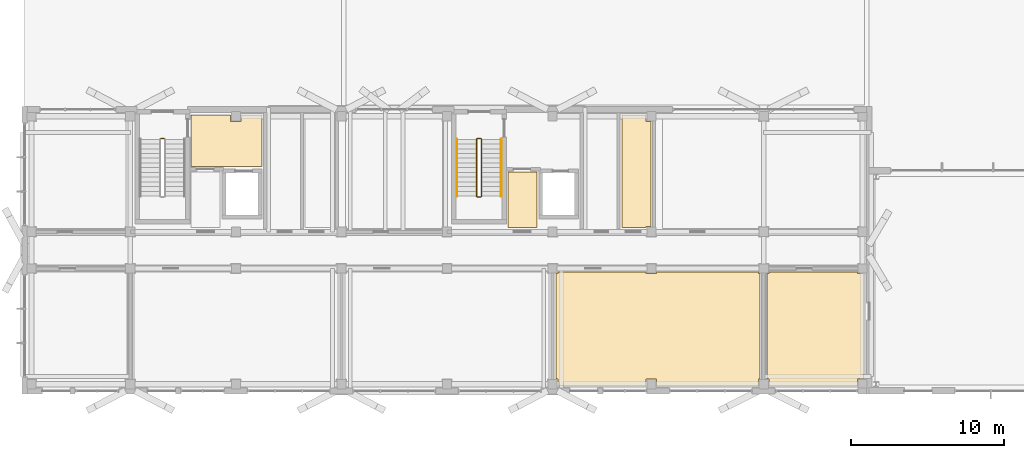
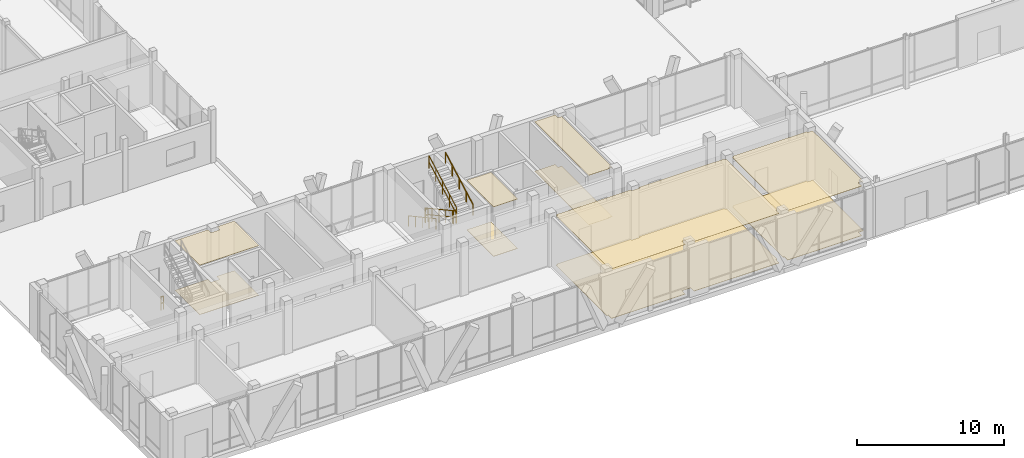
# One storey, part 210 of 233: 10 coverings, 7 railings.
"""IFC4 building model written with IfcOpenShell, lengths in metres."""

from ifc_helpers import new_model, si_unit, direction, frame, origin, origin_2d, place, context, subcontext, project, spatial, polyline, rectangle, outline, extrude, material, layer, layer_set, type_object, element, save


model = new_model("IFC4")

# Units and contexts
model_context = context("Model", 3, precision=1e-05, world=origin(), true_north=direction((0.0, 1.0)))
body_context = subcontext(model_context, "Body", "Model", "MODEL_VIEW")
ifc_project = project(units=[si_unit("LENGTHUNIT", "METRE"), si_unit("AREAUNIT", "SQUARE_METRE"), si_unit("VOLUMEUNIT", "CUBIC_METRE"), si_unit("PLANEANGLEUNIT", "RADIAN"), si_unit("MASSUNIT", "GRAM", prefix="KILO")], contexts=[model_context])

# Site, building, storey
site_placement = place(None, origin())
site = spatial("IfcSite", under=ifc_project, at=site_placement, CompositionType="ELEMENT")
building_placement = place(site_placement, origin())
building = spatial("IfcBuilding", under=site, at=building_placement, Name="Zavelmont Quarter", CompositionType="ELEMENT")
storey_placement = place(building_placement, origin())
storey = spatial("IfcBuildingStorey", under=building, at=storey_placement, Name="L00", CompositionType="ELEMENT", Elevation=0.0)

# Coverings
ifc_material_1 = material(Name="Perforated acoustic gypsum board")
ifc_layer_1 = layer(ifc_material_1, 0.02490234375)
ifc_layer_set_1 = layer_set([ifc_layer_1], Name="Perforated acoustic gypsum board")
covering_type_1 = type_object("IfcCoveringType", Name="CV-CL01", PredefinedType="CEILING", material=ifc_layer_set_1)
covering_1_placement = place(storey_placement, frame((0.0, 0.0, 4.094970703125)))
element("IfcCovering", 1, at=covering_1_placement, inside=storey, type_object=covering_type_1, Name="L00 Firefighting Lobby acoustic ceiling", PredefinedType="CEILING", context=body_context, shape_type="SweptSolid", body=[
    extrude(outline(polyline([(10.8798828125, 18.02001953125), (13.4599609375, 18.02001953125), (13.4599609375, 17.6201171875), (14.139892578125, 17.6201171875), (14.139892578125, 18.02001953125), (15.52001953125, 18.02001953125), (15.52001953125, 14.679931640625), (10.8798828125, 14.679931640625), (10.8798828125, 18.02001953125)])), origin(), (0.0, 0.0, 1.0), 0.025146484375),
])
covering_2_placement = place(storey_placement, frame((0.0, 0.0, 4.094970703125)))
element("IfcCovering", 2, at=covering_2_placement, inside=storey, type_object=covering_type_1, Name="L00 Lobby Vestibule acoustic ceiling", PredefinedType="CEILING", context=body_context, shape_type="SweptSolid", body=[
    extrude(outline(polyline([(31.580078125, 14.320068359375), (33.469970703125, 14.320068359375), (33.469970703125, 10.679931640625), (31.580078125, 10.679931640625), (31.580078125, 14.320068359375)])), origin(), (0.0, 0.0, 1.0), 0.025146484375),
])
covering_3_placement = place(storey_placement, frame((0.0, 0.0, 4.094970703125)))
element("IfcCovering", 3, at=covering_3_placement, inside=storey, type_object=covering_type_1, Name="L00 Refuse Chute Room acoustic ceiling", PredefinedType="CEILING", context=body_context, shape_type="SweptSolid", body=[
    extrude(outline(polyline([(39.030029296875, 18.02001953125), (40.6201171875, 18.02001953125), (40.6201171875, 17.6201171875), (40.919921875, 17.6201171875), (40.919921875, 10.739990234375), (40.6201171875, 10.739990234375), (40.6201171875, 10.679931640625), (39.030029296875, 10.679931640625), (39.030029296875, 18.02001953125)])), origin(), (0.0, 0.0, 1.0), 0.025146484375),
])
covering_4_placement = place(storey_placement, frame((0.0, 0.0, 4.094970703125)))
element("IfcCovering", 4, at=covering_4_placement, inside=storey, type_object=covering_type_1, Name="L00 Pram and Cargo Bike Room acoustic ceiling", PredefinedType="CEILING", context=body_context, shape_type="SweptSolid", body=[
    extrude(outline(polyline([(34.72998046875, 7.659912109375), (34.840087890625, 7.659912109375), (34.840087890625, 7.77001953125), (40.6201171875, 7.77001953125), (40.6201171875, 7.659912109375), (41.300048828125, 7.659912109375), (41.300048828125, 7.77001953125), (47.9599609375, 7.77001953125), (47.9599609375, 7.659912109375), (48.070068359375, 7.659912109375), (48.070068359375, 0.780029296875), (47.9599609375, 0.780029296875), (47.9599609375, 0.330078125), (41.300048828125, 0.330078125), (41.300048828125, 0.780029296875), (40.6201171875, 0.780029296875), (40.6201171875, 0.330078125), (34.840087890625, 0.330078125), (34.840087890625, 0.780029296875), (34.72998046875, 0.780029296875), (34.72998046875, 7.659912109375)])), origin(), (0.0, 0.0, 1.0), 0.025146484375),
])
ifc_material_2 = material(Name="Moisture-resistant painted gypsum ceiling")
ifc_layer_2 = layer(ifc_material_2, 0.02001953125)
ifc_layer_set_2 = layer_set([ifc_layer_2], Name="Moisture-resistant painted gypsum ceiling")
covering_type_2 = type_object("IfcCoveringType", Name="CV-CL04", PredefinedType="CEILING", material=ifc_layer_set_2)
covering_5_placement = place(storey_placement, frame((0.0, 0.0, 4.10009765625)))
element("IfcCovering", 5, at=covering_5_placement, inside=storey, type_object=covering_type_2, Name="L00 Accessible Toilet acoustic ceiling", PredefinedType="CEILING", context=body_context, shape_type="SweptSolid", body=[
    extrude(outline(polyline([(48.530029296875, 7.659912109375), (48.639892578125, 7.659912109375), (48.639892578125, 7.77001953125), (54.419921875, 7.77001953125), (54.419921875, 7.659912109375), (54.820068359375, 7.659912109375), (54.820068359375, 0.780029296875), (54.419921875, 0.780029296875), (54.419921875, 0.330078125), (48.639892578125, 0.330078125), (48.639892578125, 0.780029296875), (48.530029296875, 0.780029296875), (48.530029296875, 7.659912109375)])), origin(), (0.0, 0.0, 1.0), 0.02001953125),
])
ifc_material_3 = material(Name="Engineered European oak parquet")
ifc_layer_3 = layer(ifc_material_3, 0.02197265625)
ifc_layer_set_3 = layer_set([ifc_layer_3], Name="Engineered European oak parquet")
covering_type_3 = type_object("IfcCoveringType", Name="CV-FL01", PredefinedType="FLOORING", material=ifc_layer_set_3)
covering_6_placement = place(storey_placement, origin())
element("IfcCovering", 6, at=covering_6_placement, inside=storey, type_object=covering_type_3, Name="L00 Firefighting Lobby floor finish", PredefinedType="FLOORING", context=body_context, shape_type="SweptSolid", body=[
    extrude(outline(polyline([(10.8798828125, 18.02001953125), (13.4599609375, 18.02001953125), (13.4599609375, 17.6201171875), (14.139892578125, 17.6201171875), (14.139892578125, 18.02001953125), (15.52001953125, 18.02001953125), (15.52001953125, 14.679931640625), (10.8798828125, 14.679931640625), (10.8798828125, 18.02001953125)])), origin(), (0.0, 0.0, 1.0), 0.02197265625),
])
covering_7_placement = place(storey_placement, origin())
element("IfcCovering", 7, at=covering_7_placement, inside=storey, type_object=covering_type_3, Name="L00 Lobby Vestibule floor finish", PredefinedType="FLOORING", context=body_context, shape_type="SweptSolid", body=[
    extrude(outline(polyline([(31.580078125, 14.320068359375), (33.469970703125, 14.320068359375), (33.469970703125, 10.679931640625), (31.580078125, 10.679931640625), (31.580078125, 14.320068359375)])), origin(), (0.0, 0.0, 1.0), 0.02197265625),
])
covering_8_placement = place(storey_placement, origin())
element("IfcCovering", 8, at=covering_8_placement, inside=storey, type_object=covering_type_3, Name="L00 Refuse Chute Room floor finish", PredefinedType="FLOORING", context=body_context, shape_type="SweptSolid", body=[
    extrude(outline(polyline([(39.030029296875, 18.02001953125), (40.6201171875, 18.02001953125), (40.6201171875, 17.6201171875), (40.919921875, 17.6201171875), (40.919921875, 10.739990234375), (40.6201171875, 10.739990234375), (40.6201171875, 10.679931640625), (39.030029296875, 10.679931640625), (39.030029296875, 18.02001953125)])), origin(), (0.0, 0.0, 1.0), 0.02197265625),
])
covering_9_placement = place(storey_placement, origin())
element("IfcCovering", 9, at=covering_9_placement, inside=storey, type_object=covering_type_3, Name="L00 Pram and Cargo Bike Room floor finish", PredefinedType="FLOORING", context=body_context, shape_type="SweptSolid", body=[
    extrude(outline(polyline([(34.72998046875, 7.659912109375), (34.840087890625, 7.659912109375), (34.840087890625, 7.77001953125), (40.6201171875, 7.77001953125), (40.6201171875, 7.659912109375), (41.300048828125, 7.659912109375), (41.300048828125, 7.77001953125), (47.9599609375, 7.77001953125), (47.9599609375, 7.659912109375), (48.070068359375, 7.659912109375), (48.070068359375, 0.780029296875), (47.9599609375, 0.780029296875), (47.9599609375, 0.330078125), (41.300048828125, 0.330078125), (41.300048828125, 0.780029296875), (40.6201171875, 0.780029296875), (40.6201171875, 0.330078125), (34.840087890625, 0.330078125), (34.840087890625, 0.780029296875), (34.72998046875, 0.780029296875), (34.72998046875, 7.659912109375)])), origin(), (0.0, 0.0, 1.0), 0.02197265625),
])
ifc_material_4 = material(Name="Slip-resistant porcelain tile")
ifc_layer_4 = layer(ifc_material_4, 0.02587890625)
ifc_layer_set_4 = layer_set([ifc_layer_4], Name="Slip-resistant porcelain tile")
covering_type_4 = type_object("IfcCoveringType", Name="CV-FL04", PredefinedType="FLOORING", material=ifc_layer_set_4)
covering_10_placement = place(storey_placement, origin())
element("IfcCovering", 10, at=covering_10_placement, inside=storey, type_object=covering_type_4, Name="L00 Accessible Toilet floor finish", PredefinedType="FLOORING", context=body_context, shape_type="SweptSolid", body=[
    extrude(outline(polyline([(48.530029296875, 7.659912109375), (48.639892578125, 7.659912109375), (48.639892578125, 7.77001953125), (54.419921875, 7.77001953125), (54.419921875, 7.659912109375), (54.820068359375, 7.659912109375), (54.820068359375, 0.780029296875), (54.419921875, 0.780029296875), (54.419921875, 0.330078125), (48.639892578125, 0.330078125), (48.639892578125, 0.780029296875), (48.530029296875, 0.780029296875), (48.530029296875, 7.659912109375)])), origin(), (0.0, 0.0, 1.0), 0.02587890625),
])

# Railings
ifc_material_5 = material(Name="Powder-coated steel stair guardrail", Category="steel")
railing_type_1 = type_object("IfcRailingType", Name="RL-GRD1", PredefinedType="GUARDRAIL", material=ifc_material_5)
railing_1_placement = place(storey_placement, frame((8.89990234375, 16.5, 0.0)))
element("IfcRailing", 11, at=railing_1_placement, inside=storey, type_object=railing_type_1, Name="L00 ST01 stair guardrail 4", PredefinedType="GUARDRAIL", context=body_context, shape_type="SweptSolid", body=[
    extrude(rectangle(XDim=0.048095703125, YDim=0.048095703125, at=origin_2d()), frame((0.0, 0.0, 1.076171875), z_axis=(1.0, 0.0, 0.0), x_axis=(0.0, 1.0, 0.0)), (0.0, 0.0, 1.0), 0.2001953125),
    extrude(rectangle(XDim=0.048095703125, YDim=0.048095703125, at=origin_2d()), frame((0.0, 0.0, 0.550048828125), z_axis=(1.0, 0.0, 0.0), x_axis=(0.0, 1.0, 0.0)), (0.0, 0.0, 1.0), 0.2001953125),
    extrude(rectangle(XDim=0.0419921875, YDim=0.0419921875, at=origin_2d()), origin(), (0.0, 0.0, 1.0), 1.052001953125),
    extrude(rectangle(XDim=0.0419921875, YDim=0.0419921875, at=origin_2d()), frame((0.2001953125, 0.0, 0.0)), (0.0, 0.0, 1.0), 1.052001953125),
])
railing_2_placement = place(storey_placement, frame((29.550048828125, 16.449951171875, 0.169189453125)))
element("IfcRailing", 12, at=railing_2_placement, inside=storey, type_object=railing_type_1, Name="L00 ST02 stair guardrail 1", PredefinedType="GUARDRAIL", context=body_context, shape_type="SweptSolid", body=[
    extrude(rectangle(XDim=0.048095703125, YDim=0.048095703125, at=origin_2d()), frame((0.0, 0.0, 1.076171875), z_axis=(0.0, -0.877728207833, 0.479158839191), x_axis=(1.0, 0.0, 0.0)), (0.0, 0.0, 1.0), 4.23828125),
    extrude(rectangle(XDim=0.048095703125, YDim=0.048095703125, at=origin_2d()), frame((0.0, 0.0, 0.550048828125), z_axis=(0.0, -0.877728207833, 0.479158839191), x_axis=(1.0, 0.0, 0.0)), (0.0, 0.0, 1.0), 4.23828125),
    extrude(rectangle(XDim=0.0419921875, YDim=0.0419921875, at=origin_2d()), origin(), (0.0, 0.0, 1.0), 1.052001953125),
    extrude(rectangle(XDim=0.0419921875, YDim=0.0419921875, at=origin_2d()), frame((0.0, -0.929931640625, 0.5078125)), (0.0, 0.0, 1.0), 1.052001953125),
    extrude(rectangle(XDim=0.0419921875, YDim=0.0419921875, at=origin_2d()), frame((0.0, -1.85986328125, 1.015380859375)), (0.0, 0.0, 1.0), 1.052001953125),
    extrude(rectangle(XDim=0.0419921875, YDim=0.0419921875, at=origin_2d()), frame((0.0, -2.7900390625, 1.52294921875)), (0.0, 0.0, 1.0), 1.052001953125),
    extrude(rectangle(XDim=0.0419921875, YDim=0.0419921875, at=origin_2d()), frame((0.0, -3.719970703125, 2.03076171875)), (0.0, 0.0, 1.0), 1.052001953125),
])
railing_3_placement = place(storey_placement, frame((29.60009765625, 12.679931640625, 2.199951171875)))
element("IfcRailing", 13, at=railing_3_placement, inside=storey, type_object=railing_type_1, Name="L00 ST02 stair guardrail 2", PredefinedType="GUARDRAIL", context=body_context, shape_type="SweptSolid", body=[
    extrude(rectangle(XDim=0.048095703125, YDim=0.048095703125, at=origin_2d()), frame((0.0, 0.0, 1.076171875), z_axis=(1.0, 0.0, 0.0), x_axis=(0.0, 1.0, 0.0)), (0.0, 0.0, 1.0), 0.199951171875),
    extrude(rectangle(XDim=0.048095703125, YDim=0.048095703125, at=origin_2d()), frame((0.0, 0.0, 0.550048828125), z_axis=(1.0, 0.0, 0.0), x_axis=(0.0, 1.0, 0.0)), (0.0, 0.0, 1.0), 0.199951171875),
    extrude(rectangle(XDim=0.0419921875, YDim=0.0419921875, at=origin_2d()), origin(), (0.0, 0.0, 1.0), 1.052001953125),
    extrude(rectangle(XDim=0.0419921875, YDim=0.0419921875, at=origin_2d()), frame((0.199951171875, 0.0, 0.0)), (0.0, 0.0, 1.0), 1.052001953125),
])
railing_4_placement = place(storey_placement, frame((29.85009765625, 12.72998046875, 2.369140625)))
element("IfcRailing", 14, at=railing_4_placement, inside=storey, type_object=railing_type_1, Name="L00 ST02 stair guardrail 3", PredefinedType="GUARDRAIL", context=body_context, shape_type="SweptSolid", body=[
    extrude(rectangle(XDim=0.048095703125, YDim=0.048095703125, at=origin_2d()), frame((0.0, 0.0, 1.076171875), z_axis=(0.0, 0.877728207833, 0.479158839191), x_axis=(-1.0, 0.0, 0.0)), (0.0, 0.0, 1.0), 4.23828125),
    extrude(rectangle(XDim=0.048095703125, YDim=0.048095703125, at=origin_2d()), frame((0.0, 0.0, 0.550048828125), z_axis=(0.0, 0.877728207833, 0.479158839191), x_axis=(-1.0, 0.0, 0.0)), (0.0, 0.0, 1.0), 4.23828125),
    extrude(rectangle(XDim=0.0419921875, YDim=0.0419921875, at=origin_2d()), origin(), (0.0, 0.0, 1.0), 1.052001953125),
    extrude(rectangle(XDim=0.0419921875, YDim=0.0419921875, at=origin_2d()), frame((0.0, 0.929931640625, 0.5078125)), (0.0, 0.0, 1.0), 1.052001953125),
    extrude(rectangle(XDim=0.0419921875, YDim=0.0419921875, at=origin_2d()), frame((0.0, 1.85986328125, 1.015380859375)), (0.0, 0.0, 1.0), 1.052001953125),
    extrude(rectangle(XDim=0.0419921875, YDim=0.0419921875, at=origin_2d()), frame((0.0, 2.7900390625, 1.52294921875)), (0.0, 0.0, 1.0), 1.052001953125),
    extrude(rectangle(XDim=0.0419921875, YDim=0.0419921875, at=origin_2d()), frame((0.0, 3.719970703125, 2.03076171875)), (0.0, 0.0, 1.0), 1.052001953125),
])
railing_5_placement = place(storey_placement, frame((29.60009765625, 16.5, 0.0)))
element("IfcRailing", 15, at=railing_5_placement, inside=storey, type_object=railing_type_1, Name="L00 ST02 stair guardrail 4", PredefinedType="GUARDRAIL", context=body_context, shape_type="SweptSolid", body=[
    extrude(rectangle(XDim=0.048095703125, YDim=0.048095703125, at=origin_2d()), frame((0.0, 0.0, 1.076171875), z_axis=(1.0, 0.0, 0.0), x_axis=(0.0, 1.0, 0.0)), (0.0, 0.0, 1.0), 0.199951171875),
    extrude(rectangle(XDim=0.048095703125, YDim=0.048095703125, at=origin_2d()), frame((0.0, 0.0, 0.550048828125), z_axis=(1.0, 0.0, 0.0), x_axis=(0.0, 1.0, 0.0)), (0.0, 0.0, 1.0), 0.199951171875),
    extrude(rectangle(XDim=0.0419921875, YDim=0.0419921875, at=origin_2d()), origin(), (0.0, 0.0, 1.0), 1.052001953125),
    extrude(rectangle(XDim=0.0419921875, YDim=0.0419921875, at=origin_2d()), frame((0.199951171875, 0.0, 0.0)), (0.0, 0.0, 1.0), 1.052001953125),
])
ifc_material_6 = material(Name="Brushed stainless-steel wall handrail", Category="steel")
railing_type_2 = type_object("IfcRailingType", Name="RL-HND1", PredefinedType="HANDRAIL", material=ifc_material_6)
railing_6_placement = place(storey_placement, frame((28.25, 16.449951171875, 0.169189453125)))
element("IfcRailing", 16, at=railing_6_placement, inside=storey, type_object=railing_type_2, Name="L00 ST02 stair handrail 1", PredefinedType="HANDRAIL", context=body_context, shape_type="SweptSolid", body=[
    extrude(rectangle(XDim=0.048095703125, YDim=0.048095703125, at=origin_2d()), frame((0.0, 0.0, 0.8759765625), z_axis=(0.0, -0.877728207833, 0.479158839191), x_axis=(1.0, 0.0, 0.0)), (0.0, 0.0, 1.0), 4.23828125),
    extrude(rectangle(XDim=0.0419921875, YDim=0.0419921875, at=origin_2d()), origin(), (0.0, 0.0, 1.0), 0.851806640625),
    extrude(rectangle(XDim=0.0419921875, YDim=0.0419921875, at=origin_2d()), frame((0.0, -0.929931640625, 0.5078125)), (0.0, 0.0, 1.0), 0.851806640625),
    extrude(rectangle(XDim=0.0419921875, YDim=0.0419921875, at=origin_2d()), frame((0.0, -1.85986328125, 1.015380859375)), (0.0, 0.0, 1.0), 0.851806640625),
    extrude(rectangle(XDim=0.0419921875, YDim=0.0419921875, at=origin_2d()), frame((0.0, -2.7900390625, 1.52294921875)), (0.0, 0.0, 1.0), 0.851806640625),
    extrude(rectangle(XDim=0.0419921875, YDim=0.0419921875, at=origin_2d()), frame((0.0, -3.719970703125, 2.03076171875)), (0.0, 0.0, 1.0), 0.851806640625),
])
railing_7_placement = place(storey_placement, frame((31.14990234375, 12.72998046875, 2.369140625)))
element("IfcRailing", 17, at=railing_7_placement, inside=storey, type_object=railing_type_2, Name="L00 ST02 stair handrail 2", PredefinedType="HANDRAIL", context=body_context, shape_type="SweptSolid", body=[
    extrude(rectangle(XDim=0.048095703125, YDim=0.048095703125, at=origin_2d()), frame((0.0, 0.0, 0.8759765625), z_axis=(0.0, 0.877728207833, 0.479158839191), x_axis=(-1.0, 0.0, 0.0)), (0.0, 0.0, 1.0), 4.23828125),
    extrude(rectangle(XDim=0.0419921875, YDim=0.0419921875, at=origin_2d()), origin(), (0.0, 0.0, 1.0), 0.851806640625),
    extrude(rectangle(XDim=0.0419921875, YDim=0.0419921875, at=origin_2d()), frame((0.0, 0.929931640625, 0.5078125)), (0.0, 0.0, 1.0), 0.851806640625),
    extrude(rectangle(XDim=0.0419921875, YDim=0.0419921875, at=origin_2d()), frame((0.0, 1.85986328125, 1.015380859375)), (0.0, 0.0, 1.0), 0.851806640625),
    extrude(rectangle(XDim=0.0419921875, YDim=0.0419921875, at=origin_2d()), frame((0.0, 2.7900390625, 1.52294921875)), (0.0, 0.0, 1.0), 0.851806640625),
    extrude(rectangle(XDim=0.0419921875, YDim=0.0419921875, at=origin_2d()), frame((0.0, 3.719970703125, 2.03076171875)), (0.0, 0.0, 1.0), 0.851806640625),
])

save(model, "model.ifc")
